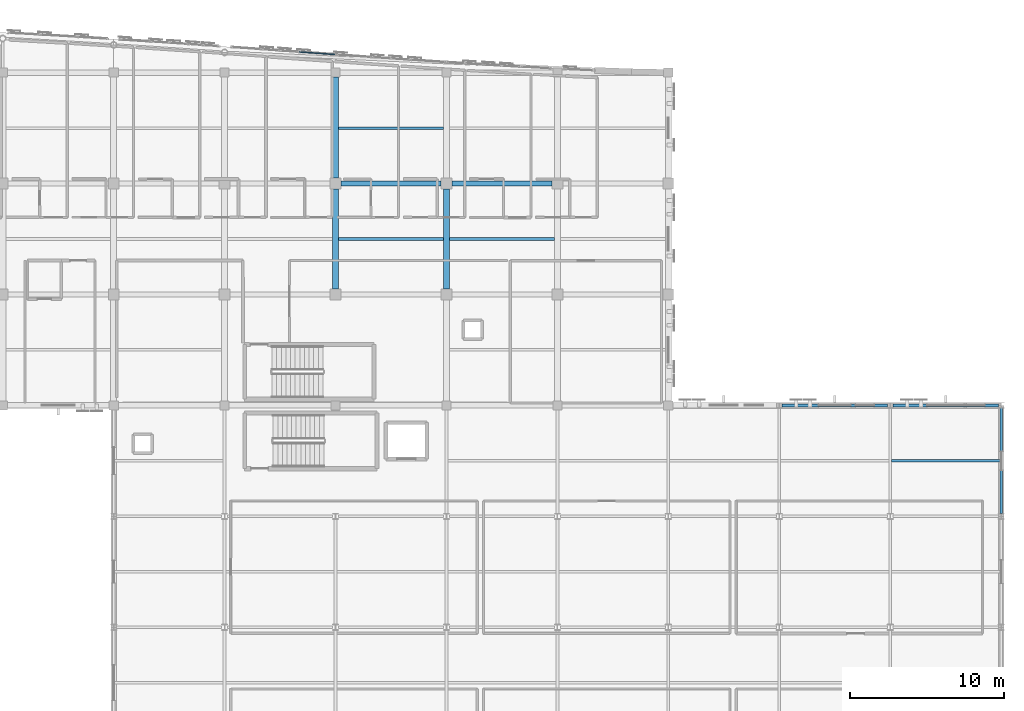
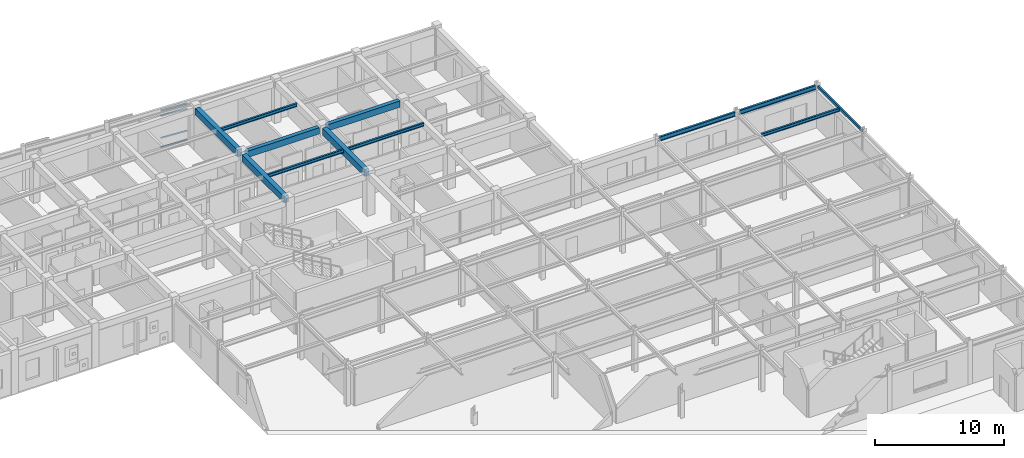
# One storey, part 59 of 113: 12 beams, 4 members, 1 element without a shape of its own.
"""IFC4 building model written with IfcOpenShell, lengths in metres."""

from ifc_helpers import new_model, si_unit, direction, frame, origin, origin_2d, place, context, subcontext, project, spatial, rectangle, hollow_rectangle, i_section, extrude, material, layer, layer_set, material_profile, profile_set, type_object, element, aggregate, save


model = new_model("IFC4")

# Units and contexts
model_context = context("Model", 3, precision=1e-05, world=origin(), true_north=direction((0.0, 1.0)))
body_context = subcontext(model_context, "Body", "Model", "MODEL_VIEW")
ifc_project = project(units=[si_unit("LENGTHUNIT", "METRE"), si_unit("AREAUNIT", "SQUARE_METRE"), si_unit("VOLUMEUNIT", "CUBIC_METRE"), si_unit("PLANEANGLEUNIT", "RADIAN"), si_unit("MASSUNIT", "GRAM", prefix="KILO")], contexts=[model_context])

# Site, building, storey
site_placement = place(None, origin())
site = spatial("IfcSite", under=ifc_project, at=site_placement, CompositionType="ELEMENT")
building_placement = place(site_placement, origin())
building = spatial("IfcBuilding", under=site, at=building_placement, Name="Carrowvane Square Congress Hotel", CompositionType="ELEMENT")
storey_placement = place(building_placement, frame((0.0, 0.0, 15.0)))
storey = spatial("IfcBuildingStorey", under=building, at=storey_placement, Name="L03", CompositionType="ELEMENT", Elevation=15.0)

# Beams
ifc_material_1 = material(Name="Concrete C35/45", Category="concrete")
ifc_material_profile_1 = material_profile(ifc_material_1, rectangle(XDim=0.35009765625, YDim=0.60009765625, at=origin_2d()), Name="RC 350x600")
ifc_profile_set_1 = profile_set([ifc_material_profile_1], Name="Concrete C35/45")
beam_type_1 = type_object("IfcBeamType", Name="BM-RC-350x600", PredefinedType="BEAM", material=ifc_profile_set_1)
for number, where, z_axis, x_axis, name in (
    (1, (141.550048828125, 106.199951171875, 3.639892578125), (1.0, 0.0, 0.0), (0.0, 1.0, 0.0), "L04 girder Q/19-20"),
    (2, (148.75, 106.199951171875, 3.639892578125), (1.0, 0.0, 0.0), (0.0, 1.0, 0.0), "L04 girder Q/20-21"),
):
    element("IfcBeam", number, at=place(storey_placement, frame(where, z_axis=z_axis, x_axis=x_axis)), inside=storey, type_object=beam_type_1, Name=name, PredefinedType="BEAM", context=body_context, shape_type="SweptSolid", body=[
        extrude(rectangle(XDim=0.35009765625, YDim=0.60009765625, at=origin_2d()), origin(), (0.0, 0.0, 1.0), 6.5),
    ])
ifc_material_2 = material(Name="Concrete C35/45", Category="concrete")
ifc_material_profile_2 = material_profile(ifc_material_2, rectangle(XDim=0.39990234375, YDim=0.64990234375, at=origin_2d()), Name="RC 400x650")
ifc_profile_set_2 = profile_set([ifc_material_profile_2], Name="Concrete C35/45")
beam_type_2 = type_object("IfcBeamType", Name="BM-RC-400x650", PredefinedType="BEAM", material=ifc_profile_set_2)
beam_1_placement = place(storey_placement, frame((141.199951171875, 99.35009765625, 3.614990234375), z_axis=(0.0, 1.0, 0.0), x_axis=(-1.0, 0.0, 0.0)))
element("IfcBeam", 3, at=beam_1_placement, inside=storey, type_object=beam_type_2, Name="L04 girder 19/P-Q", PredefinedType="BEAM", context=body_context, shape_type="SweptSolid", body=[
    extrude(rectangle(XDim=0.39990234375, YDim=0.64990234375, at=origin_2d()), origin(), (0.0, 0.0, 1.0), 6.5),
])
beam_2_placement = place(storey_placement, frame((141.199951171875, 106.550048828125, 3.614990234375), z_axis=(0.0, 1.0, 0.0), x_axis=(-1.0, 0.0, 0.0)))
element("IfcBeam", 4, at=beam_2_placement, inside=storey, type_object=beam_type_2, Name="L04 girder 19/Q-R", PredefinedType="BEAM", context=body_context, shape_type="SweptSolid", body=[
    extrude(rectangle(XDim=0.39990234375, YDim=0.64990234375, at=origin_2d()), origin(), (0.0, 0.0, 1.0), 6.550048828125),
])
beam_3_placement = place(storey_placement, frame((148.39990234375, 99.35009765625, 3.614990234375), z_axis=(0.0, 1.0, 0.0), x_axis=(-1.0, 0.0, 0.0)))
element("IfcBeam", 5, at=beam_3_placement, inside=storey, type_object=beam_type_2, Name="L04 girder 20/P-Q", PredefinedType="BEAM", context=body_context, shape_type="SweptSolid", body=[
    extrude(rectangle(XDim=0.39990234375, YDim=0.64990234375, at=origin_2d()), origin(), (0.0, 0.0, 1.0), 6.5),
])
ifc_material_3 = material(Name="Steel S355", Category="steel")
ifc_material_profile_3 = material_profile(ifc_material_3, hollow_rectangle(XDim=0.14990234375, YDim=0.25, WallThickness=0.012451171875, at=origin_2d()), Name="RHS 250x150x12.5")
ifc_profile_set_3 = profile_set([ifc_material_profile_3], Name="Steel S355")
beam_type_3 = type_object("IfcBeamType", Name="BM-ST-RHS250", PredefinedType="SPANDREL", material=ifc_profile_set_3)
beam_4_placement = place(storey_placement, frame((184.39990234375, 84.781005859375, 3.81494140625), z_axis=(0.0, 1.0, 0.0), x_axis=(-1.0, 0.0, 0.0)))
element("IfcBeam", 6, at=beam_4_placement, inside=storey, type_object=beam_type_3, Name="L04 girder 25/M-N", PredefinedType="SPANDREL", context=body_context, shape_type="SweptSolid", body=[
    extrude(hollow_rectangle(XDim=0.14990234375, YDim=0.25, WallThickness=0.012451171875, at=origin_2d()), origin(), (0.0, 0.0, 1.0), 6.837890625),
])
ifc_material_4 = material(Name="Steel S355", Category="steel")
ifc_material_profile_4 = material_profile(ifc_material_4, i_section(OverallWidth=0.165771484375, OverallDepth=0.306640625, WebThickness=0.006591796875, FlangeThickness=0.01171875, FilletRadius=0.0087890625, at=origin_2d()), Name="UKB 305x165x46")
ifc_profile_set_4 = profile_set([ifc_material_profile_4], Name="Steel S355")
beam_type_4 = type_object("IfcBeamType", Name="BM-ST-UKB305", PredefinedType="JOIST", material=ifc_profile_set_4)
for number, where, z_axis, x_axis, name in (
    (7, (141.39990234375, 102.60009765625, 3.78662109375), (1.0, 0.0, 0.0), (0.0, 1.0, 0.0), "L04 secondary joist 19-20"),
    (8, (141.39990234375, 109.800048828125, 3.78662109375), (1.0, 0.0, 0.0), (0.0, 1.0, 0.0), "L04 secondary joist 19-20"),
):
    element("IfcBeam", number, at=place(storey_placement, frame(where, z_axis=z_axis, x_axis=x_axis)), inside=storey, type_object=beam_type_4, Name=name, PredefinedType="JOIST", context=body_context, shape_type="SweptSolid", body=[
        extrude(i_section(OverallWidth=0.165771484375, OverallDepth=0.306640625, WebThickness=0.006591796875, FlangeThickness=0.01171875, FilletRadius=0.0087890625, at=origin_2d()), origin(), (0.0, 0.0, 1.0), 6.800048828125),
    ])
beam_5_placement = place(storey_placement, frame((148.60009765625, 102.60009765625, 3.78662109375), z_axis=(1.0, 0.0, 0.0), x_axis=(0.0, 1.0, 0.0)))
element("IfcBeam", 9, at=beam_5_placement, inside=storey, type_object=beam_type_4, Name="L04 secondary joist 20-21", PredefinedType="JOIST", context=body_context, shape_type="SweptSolid", body=[
    extrude(i_section(OverallWidth=0.165771484375, OverallDepth=0.306640625, WebThickness=0.006591796875, FlangeThickness=0.01171875, FilletRadius=0.0087890625, at=origin_2d()), origin(), (0.0, 0.0, 1.0), 6.7998046875),
])
beam_6_placement = place(storey_placement, frame((177.289306640625, 88.199951171875, 3.78662109375), z_axis=(1.0, 0.0, 0.0), x_axis=(0.0, 1.0, 0.0)))
element("IfcBeam", 10, at=beam_6_placement, inside=storey, type_object=beam_type_4, Name="L04 secondary joist 24-25", PredefinedType="JOIST", context=body_context, shape_type="SweptSolid", body=[
    extrude(i_section(OverallWidth=0.165771484375, OverallDepth=0.306640625, WebThickness=0.006591796875, FlangeThickness=0.01171875, FilletRadius=0.0087890625, at=origin_2d()), origin(), (0.0, 0.0, 1.0), 7.03564453125),
])
ifc_material_5 = material(Name="Steel S355", Category="steel")
ifc_material_profile_5 = material_profile(ifc_material_5, i_section(OverallWidth=0.1787109375, OverallDepth=0.409423828125, WebThickness=0.0087890625, FlangeThickness=0.014404296875, FilletRadius=0.01025390625, at=origin_2d()), Name="UKB 406x178x67")
ifc_profile_set_5 = profile_set([ifc_material_profile_5], Name="Steel S355")
beam_type_5 = type_object("IfcBeamType", Name="BM-ST-UKB406", PredefinedType="BEAM", material=ifc_profile_set_5)
beam_7_placement = place(storey_placement, frame((170.185302734375, 91.800048828125, 3.7353515625), z_axis=(1.0, 0.0, 0.0), x_axis=(0.0, 1.0, 0.0)))
element("IfcBeam", 11, at=beam_7_placement, inside=storey, type_object=beam_type_5, Name="L04 girder N/23-24", PredefinedType="BEAM", context=body_context, shape_type="SweptSolid", body=[
    extrude(i_section(OverallWidth=0.1787109375, OverallDepth=0.409423828125, WebThickness=0.0087890625, FlangeThickness=0.014404296875, FilletRadius=0.01025390625, at=origin_2d()), origin(), (0.0, 0.0, 1.0), 6.829345703125),
])
beam_8_placement = place(storey_placement, frame((177.38525390625, 91.800048828125, 3.7353515625), z_axis=(1.0, 0.0, 0.0), x_axis=(0.0, 1.0, 0.0)))
element("IfcBeam", 12, at=beam_8_placement, inside=storey, type_object=beam_type_5, Name="L04 girder N/24-25", PredefinedType="BEAM", context=body_context, shape_type="SweptSolid", body=[
    extrude(i_section(OverallWidth=0.1787109375, OverallDepth=0.409423828125, WebThickness=0.0087890625, FlangeThickness=0.014404296875, FilletRadius=0.01025390625, at=origin_2d()), origin(), (0.0, 0.0, 1.0), 6.82958984375),
])

# Curtain wall, members
ifc_material_6 = material(Name="Anodised aluminium", Category="aluminium")
ifc_layer = layer(ifc_material_6, 0.18603515625)
ifc_layer_set = layer_set([ifc_layer], Name="Anodised aluminium")
curtain_wall_type = type_object("IfcCurtainWallType", Name="CW-SYS-3", PredefinedType="NOTDEFINED", material=ifc_layer_set)
curtain_wall_placement = place(storey_placement, origin())
curtain_wall = element("IfcCurtainWall", 13, at=curtain_wall_placement, inside=storey, type_object=curtain_wall_type, Name="L03 unitised curtain wall 234", PredefinedType="NOTDEFINED")
ifc_material_7 = material(Name="Anodised aluminium", Category="aluminium")
ifc_material_profile_6 = material_profile(ifc_material_7, hollow_rectangle(XDim=0.06005859375, YDim=0.1298828125, WallThickness=0.00390625, at=origin_2d()), Name="CW-TR 60x130x4")
ifc_profile_set_6 = profile_set([ifc_material_profile_6], Name="Anodised aluminium")
member_type = type_object("IfcMemberType", Name="CW-TRN-1", PredefinedType="USERDEFINED", material=ifc_profile_set_6)
member_1_placement = place(storey_placement, frame((138.85986328125, 114.73876953125, 0.030029296875), z_axis=(0.997444585834, -0.071444371298, 0.0), x_axis=(0.071444371298, 0.997444585834, 0.0)))
member_1 = element("IfcMember", 14, at=member_1_placement, type_object=member_type, Name="CW-3 transom 1.1", ObjectType="TRANSOM", PredefinedType="USERDEFINED", context=body_context, shape_type="SweptSolid", body=[
    extrude(hollow_rectangle(XDim=0.06005859375, YDim=0.1298828125, WallThickness=0.00390625, at=origin_2d()), origin(), (0.0, 0.0, 1.0), 2.2861328125),
])
member_2_placement = place(storey_placement, frame((138.85986328125, 114.73876953125, 0.89990234375), z_axis=(0.997444585834, -0.071444371298, 0.0), x_axis=(0.071444371298, 0.997444585834, 0.0)))
member_2 = element("IfcMember", 15, at=member_2_placement, type_object=member_type, Name="CW-3 transom 1.2", ObjectType="TRANSOM", PredefinedType="USERDEFINED", context=body_context, shape_type="SweptSolid", body=[
    extrude(hollow_rectangle(XDim=0.06005859375, YDim=0.1298828125, WallThickness=0.00390625, at=origin_2d()), origin(), (0.0, 0.0, 1.0), 2.2861328125),
])
member_3_placement = place(storey_placement, frame((138.85986328125, 114.73876953125, 2.965576171875), z_axis=(0.997444585834, -0.071444371298, 0.0), x_axis=(0.071444371298, 0.997444585834, 0.0)))
member_3 = element("IfcMember", 16, at=member_3_placement, type_object=member_type, Name="CW-3 transom 1.3", ObjectType="TRANSOM", PredefinedType="USERDEFINED", context=body_context, shape_type="SweptSolid", body=[
    extrude(hollow_rectangle(XDim=0.06005859375, YDim=0.1298828125, WallThickness=0.00390625, at=origin_2d()), origin(), (0.0, 0.0, 1.0), 2.2861328125),
])
member_4_placement = place(storey_placement, frame((138.85986328125, 114.73876953125, 3.485595703125), z_axis=(0.997444585834, -0.071444371298, 0.0), x_axis=(0.071444371298, 0.997444585834, 0.0)))
member_4 = element("IfcMember", 17, at=member_4_placement, type_object=member_type, Name="CW-3 transom 1.4", ObjectType="TRANSOM", PredefinedType="USERDEFINED", context=body_context, shape_type="SweptSolid", body=[
    extrude(hollow_rectangle(XDim=0.06005859375, YDim=0.1298828125, WallThickness=0.00390625, at=origin_2d()), origin(), (0.0, 0.0, 1.0), 2.2861328125),
])
aggregate(curtain_wall, [member_1, member_2, member_3, member_4])

save(model, "model.ifc")
